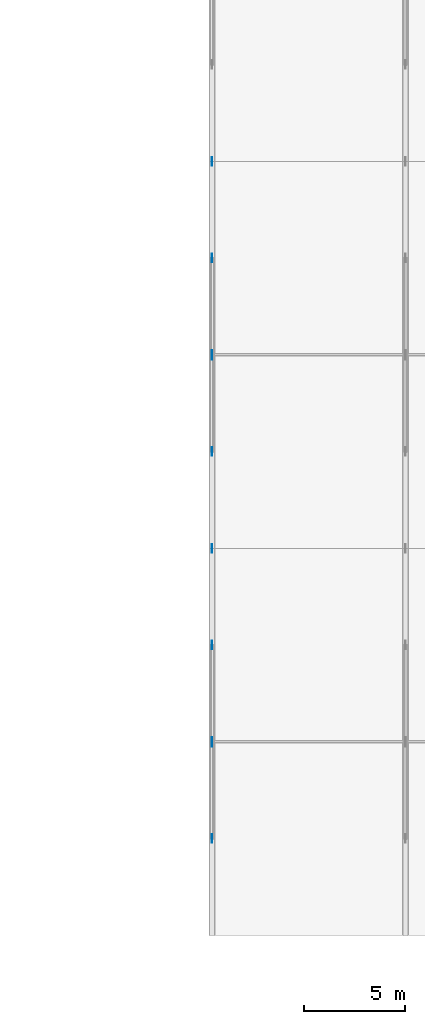
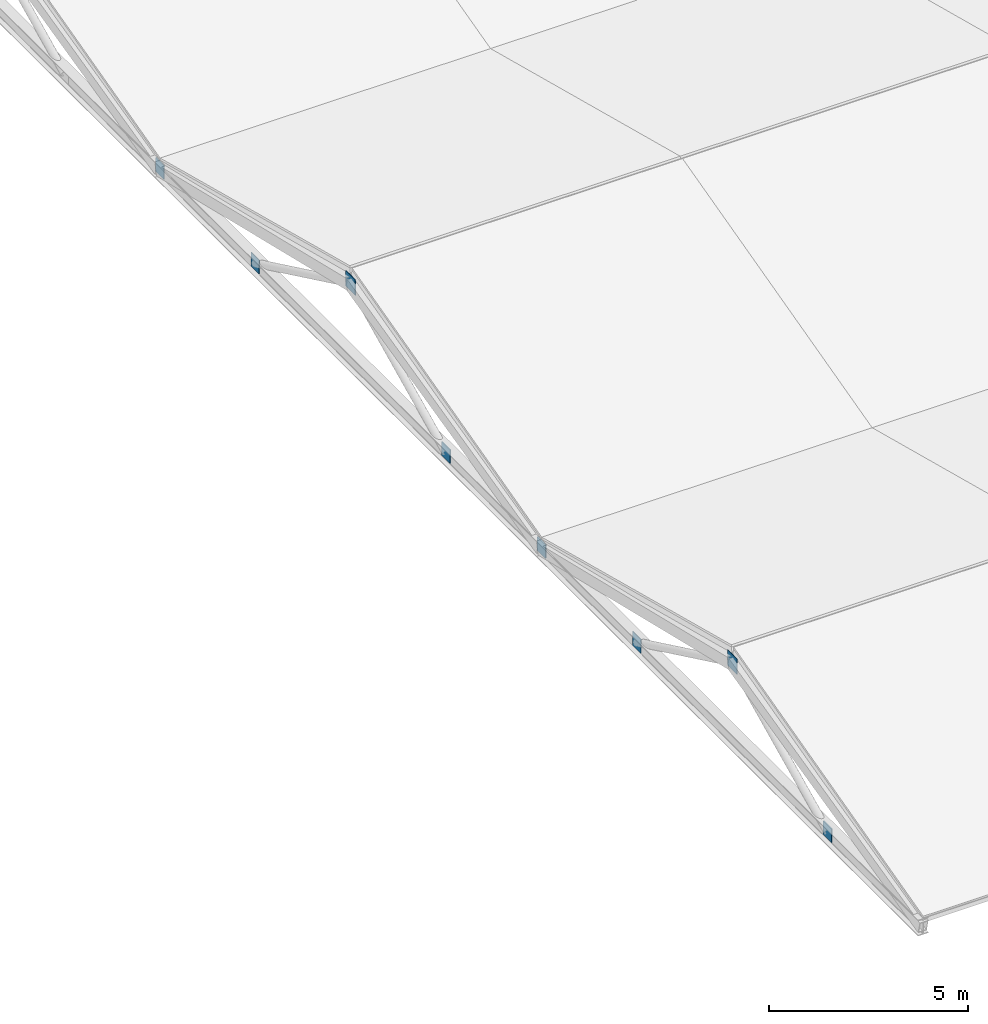
# One storey, part 24 of 52: 8 plates.
"""IFC4 building model written with IfcOpenShell, lengths in metres."""

import ifcopenshell
import ifcopenshell.guid

model = None  # the IFC model being written
_history = None  # IfcOwnerHistory: only IFC2X3 demands one
_inside = {}  # id of a spatial element -> (the spatial element, [elements in it])
_under = {}  # id of a project, library or spatial element -> (it, [spatial elements below it])
_declared = {}  # id of a project -> (the project, [libraries it declares])
_typed = {}  # id of a type object -> (the type object, [elements of that type])
_made_of = {}  # id of a material, layer set ... -> (it, [elements and type objects made of it])


def new_model(schema):
    """Start an empty IFC model of exactly this schema.

    Asked for "IFC4X3", IfcOpenShell would pick the latest addendum, in which some entities
    have other attributes; the version numbers below select the first issue.
    IFC2X3 requires an IfcOwnerHistory on every rooted entity: one is made here for all.
    """
    global model, _history
    if schema == "IFC4X3":
        model = ifcopenshell.file(schema_version=(4, 3, 0, 0))
    else:
        model = ifcopenshell.file(schema=schema)
    _inside.clear()
    _under.clear()
    _declared.clear()
    _typed.clear()
    _made_of.clear()
    _history = None
    if model.schema == "IFC2X3":
        org = make("IfcOrganization", Name="unknown")
        user = make(
            "IfcPersonAndOrganization",
            ThePerson=make("IfcPerson", FamilyName="unknown"),
            TheOrganization=org,
        )
        app = make(
            "IfcApplication",
            ApplicationDeveloper=org,
            Version="unknown",
            ApplicationFullName="unknown",
            ApplicationIdentifier="unknown",
        )
        _history = make(
            "IfcOwnerHistory",
            OwningUser=user,
            OwningApplication=app,
            ChangeAction="ADDED",
            CreationDate=0,
        )
    return model


def make(cls, **values):
    """One entity of the class cls with the attributes given. An attribute that is None is left unset."""
    return model.create_entity(
        cls, **{name: value for name, value in values.items() if value is not None}
    )


def rooted(cls, **values):
    """An entity with a GlobalId (a new one), such as an element, a storey or a relation."""
    return make(cls, GlobalId=ifcopenshell.guid.new(), OwnerHistory=_history, **values)


def si_unit(unit_type, name, prefix=None):
    """IfcSIUnit, for example si_unit("LENGTHUNIT", "METRE", prefix="MILLI")."""
    return make("IfcSIUnit", UnitType=unit_type, Prefix=prefix, Name=name)


def assignment(units):
    """IfcUnitAssignment: the units of a project."""
    return None if units is None else make("IfcUnitAssignment", Units=units)


def point(xyz):
    """IfcCartesianPoint."""
    return None if xyz is None else make("IfcCartesianPoint", Coordinates=xyz)


def direction(xyz):
    """IfcDirection."""
    return None if xyz is None else make("IfcDirection", DirectionRatios=xyz)


def frame(location, z_axis=None, x_axis=None):
    """IfcAxis2Placement3D, a coordinate frame: its origin and axes. An axis left out is left unset."""
    return make(
        "IfcAxis2Placement3D",
        Location=point(location),
        Axis=direction(z_axis),
        RefDirection=direction(x_axis),
    )


def frame_2d(location, x_axis=None):
    """IfcAxis2Placement2D, a coordinate frame in the plane: its origin and x axis."""
    return make(
        "IfcAxis2Placement2D", Location=point(location), RefDirection=direction(x_axis)
    )


def origin():
    """The frame at (0, 0, 0) with its axes left unset."""
    return frame((0.0, 0.0, 0.0))


def origin_2d():
    """The frame at (0, 0) in the plane with its x axis left unset."""
    return frame_2d((0.0, 0.0))


def place(relative_to, where):
    """IfcLocalPlacement: puts the frame where relative to a parent placement (None: the world)."""
    return make(
        "IfcLocalPlacement", PlacementRelTo=relative_to, RelativePlacement=where
    )


def context(
    kind, dimensions, precision=None, world=None, true_north=None, identifier=None
):
    """IfcGeometricRepresentationContext, for example the 3D "Model" context."""
    return make(
        "IfcGeometricRepresentationContext",
        ContextIdentifier=identifier,
        ContextType=kind,
        CoordinateSpaceDimension=dimensions,
        Precision=precision,
        WorldCoordinateSystem=world,
        TrueNorth=true_north,
    )


def subcontext(parent, identifier, kind, view, scale=None):
    """IfcGeometricRepresentationSubContext, for example "Body" below "Model"."""
    return make(
        "IfcGeometricRepresentationSubContext",
        ContextIdentifier=identifier,
        ContextType=kind,
        ParentContext=parent,
        TargetScale=scale,
        TargetView=view,
    )


def project(units=None, contexts=None):
    """IfcProject with its units and contexts."""
    return rooted(
        "IfcProject",
        Name="project",
        RepresentationContexts=contexts,
        UnitsInContext=assignment(units),
    )


def spatial(cls, under=None, at=None, **own):
    """A site, building, storey or space (cls), placed at a placement, below another one or the project."""
    s = rooted(cls, ObjectPlacement=at, **own)
    if under is not None:
        _under.setdefault(under.id(), (under, []))[1].append(s)
    return s


def profile(cls, at=None, kind="AREA", **sizes):
    """A parametric profile (cls). Its sizes go by their IFC names, for example OverallWidth=200.0."""
    return make(cls, ProfileType=kind, Position=at, **sizes)


def rectangle(**sizes):
    """IfcRectangleProfileDef."""
    return profile("IfcRectangleProfileDef", **sizes)


def extrude(swept, where, along, depth):
    """IfcExtrudedAreaSolid: the profile swept, set in the frame where, extruded along a direction by depth."""
    return make(
        "IfcExtrudedAreaSolid",
        SweptArea=swept,
        Position=where,
        ExtrudedDirection=direction(along),
        Depth=depth,
    )


def shape(context_of_items, identifier, shape_type, items):
    """IfcShapeRepresentation: the items that make up one representation, for example the "Body"."""
    return make(
        "IfcShapeRepresentation",
        ContextOfItems=context_of_items,
        RepresentationIdentifier=identifier,
        RepresentationType=shape_type,
        Items=items,
    )


def material(Name=None, Category=None):
    """IfcMaterial."""
    return make("IfcMaterial", Name=Name, Category=Category)


def layer(
    of_material, thickness, ventilated=None, Name=None, Category=None, Priority=None
):
    """IfcMaterialLayer: one layer of a wall or slab, of a material (None: an air gap)."""
    return make(
        "IfcMaterialLayer",
        Material=of_material,
        LayerThickness=thickness,
        IsVentilated=ventilated,
        Name=Name,
        Category=Category,
        Priority=Priority,
    )


def layer_set(layers, Name=None):
    """IfcMaterialLayerSet."""
    return make("IfcMaterialLayerSet", MaterialLayers=layers, LayerSetName=Name)


def made_of(thing, what):
    """Note that an element or type object is made of a material, layer set ...; save() writes the relation."""
    if what is not None:
        _made_of.setdefault(what.id(), (what, []))[1].append(thing)
    return thing


def type_object(cls, material=None, **own):
    """A type object (cls), such as IfcWallType, which elements share."""
    return made_of(rooted(cls, **own), material)


def element(
    cls,
    number,
    at=None,
    inside=None,
    cuts=None,
    type_object=None,
    material=None,
    context=None,
    identifier="Body",
    shape_type=None,
    held_by="IfcProductDefinitionShape",
    body=None,
    shapes=None,
    **own,
):
    """One element of the class cls, such as IfcWall. Its Tag is "e" and its number.

    at: its placement. inside: the storey or other place that contains it. cuts: it is an
    opening in that element (IfcRelVoidsElement). A single representation is given by context,
    identifier, shape_type and body (its items); several are given by shapes. held_by: the class
    of the entity that holds the representations. save() writes the other relations.
    """
    e = rooted(cls, Tag="e%d" % number, ObjectPlacement=at, **own)
    if body is not None:
        shapes = [shape(context, identifier, shape_type, body)]
    if shapes is not None:
        e.Representation = make(held_by, Representations=shapes)
    if inside is not None:
        _inside.setdefault(inside.id(), (inside, []))[1].append(e)
    if cuts is not None:
        rooted(
            "IfcRelVoidsElement", RelatingBuildingElement=cuts, RelatedOpeningElement=e
        )
    if type_object is not None:
        _typed.setdefault(type_object.id(), (type_object, []))[1].append(e)
    return made_of(e, material)


def aggregate(whole, parts):
    """IfcRelAggregates: a whole, such as a stair, and the parts it consists of."""
    return rooted("IfcRelAggregates", RelatingObject=whole, RelatedObjects=parts)


def save(model, path):
    """Write the relations noted so far, then the file.

    IfcRelAggregates (storeys below a building ...), IfcRelContainedInSpatialStructure (elements
    in a storey), IfcRelDefinesByType, IfcRelAssociatesMaterial and IfcRelDeclares: one each for
    every whole, place, type object, material and project.
    """
    for whole, parts in _under.values():
        aggregate(whole, parts)
    for where, things in _inside.values():
        rooted(
            "IfcRelContainedInSpatialStructure",
            RelatedElements=things,
            RelatingStructure=where,
        )
    for kind, things in _typed.values():
        rooted("IfcRelDefinesByType", RelatedObjects=things, RelatingType=kind)
    for what, things in _made_of.values():
        rooted("IfcRelAssociatesMaterial", RelatedObjects=things, RelatingMaterial=what)
    for by, libraries in _declared.values():
        rooted("IfcRelDeclares", RelatingContext=by, RelatedDefinitions=libraries)
    model.write(path)


model = new_model("IFC4")

# Units and contexts
model_context = context("Model", 3, precision=1e-05, world=origin(), true_north=direction((0.0, 1.0)))
body_context = subcontext(model_context, "Body", "Model", "MODEL_VIEW")
ifc_project = project(units=[si_unit("LENGTHUNIT", "METRE"), si_unit("AREAUNIT", "SQUARE_METRE"), si_unit("VOLUMEUNIT", "CUBIC_METRE"), si_unit("PLANEANGLEUNIT", "RADIAN"), si_unit("MASSUNIT", "GRAM", prefix="KILO")], contexts=[model_context])

# Site, building, storey
site_placement = place(None, origin())
site = spatial("IfcSite", under=ifc_project, at=site_placement, CompositionType="ELEMENT")
building_placement = place(site_placement, origin())
building = spatial("IfcBuilding", under=site, at=building_placement, Name="Zarnetskaya Central Station", CompositionType="ELEMENT")
storey_placement = place(building_placement, frame((0.0, 0.0, 14.39990234375)))
storey = spatial("IfcBuildingStorey", under=building, at=storey_placement, Name="L03", CompositionType="ELEMENT", Elevation=14.39990234375)

# Plates
ifc_material = material(Name="Steel S355", Category="steel")
ifc_layer_1 = layer(ifc_material, 0.02392578125, Name="Steel S355", Category="steel")
ifc_layer_set_1 = layer_set([ifc_layer_1], Name="Steel S355")
plate_type_1 = type_object("IfcPlateType", Name="ND-GUSSET-24", PredefinedType="USERDEFINED", material=ifc_layer_set_1)
for number, where, z_axis, x_axis, name in (
    (1, (57.60009765625, 76.800048828125, 1.81005859375), (0.0, 0.0, 1.0), (1.0, 0.0, 0.0), "ROOF TRUSS SHED-SV1-01 apex gusset"),
    (2, (57.60009765625, 96.0, 1.81005859375), (0.0, 0.0, 1.0), (1.0, 0.0, 0.0), "ROOF TRUSS SHED-SV2-01 apex gusset"),
):
    element("IfcPlate", number, at=place(storey_placement, frame(where, z_axis=z_axis, x_axis=x_axis)), inside=storey, type_object=plate_type_1, Name=name, ObjectType="GUSSET PLATE", PredefinedType="USERDEFINED", context=body_context, shape_type="SweptSolid", body=[
        extrude(rectangle(XDim=0.02392578125, YDim=0.47998046875, at=origin_2d()), origin(), (0.0, 0.0, 1.0), 0.47998046875),
    ])
ifc_layer_2 = layer(ifc_material, 0.028076171875, Name="Steel S355", Category="steel")
ifc_layer_set_2 = layer_set([ifc_layer_2], Name="Steel S355")
plate_type_2 = type_object("IfcPlateType", Name="ND-GUSSET-EXT-28", PredefinedType="USERDEFINED", material=ifc_layer_set_2)
for number, where, z_axis, x_axis, name in (
    (3, (57.60009765625, 86.39990234375, -0.4599609375), (0.0, 0.0, 1.0), (1.0, 0.0, 0.0), "Structural member end gusset plate 025"),
    (4, (57.60009765625, 72.0, -0.4599609375), (0.0, 0.0, 1.0), (1.0, 0.0, 0.0), "Structural member end gusset plate 026"),
    (5, (57.60009765625, 81.60009765625, -0.4599609375), (0.0, 0.0, 1.0), (1.0, 0.0, 0.0), "Structural member end gusset plate 027"),
    (6, (57.60009765625, 105.60009765625, -0.4599609375), (0.0, 0.0, 1.0), (1.0, 0.0, 0.0), "Structural member end gusset plate 049"),
    (7, (57.60009765625, 91.199951171875, -0.4599609375), (0.0, 0.0, 1.0), (1.0, 0.0, 0.0), "Structural member end gusset plate 050"),
    (8, (57.60009765625, 100.800048828125, -0.4599609375), (0.0, 0.0, 1.0), (1.0, 0.0, 0.0), "Structural member end gusset plate 051"),
):
    element("IfcPlate", number, at=place(storey_placement, frame(where, z_axis=z_axis, x_axis=x_axis)), inside=storey, type_object=plate_type_2, Name=name, ObjectType="GUSSET PLATE", PredefinedType="USERDEFINED", context=body_context, shape_type="SweptSolid", body=[
        extrude(rectangle(XDim=0.028076171875, YDim=0.419921875, at=origin_2d()), origin(), (0.0, 0.0, 1.0), 0.419921875),
    ])

save(model, "model.ifc")
